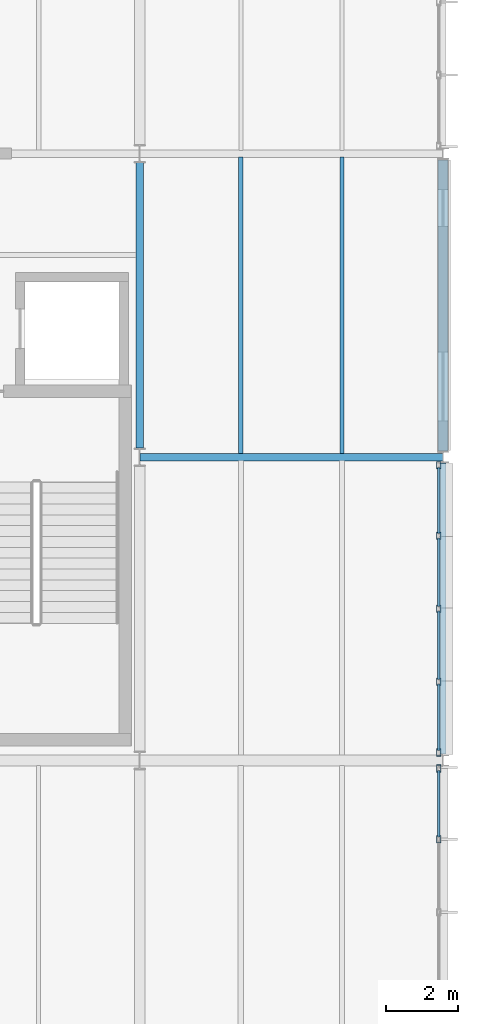
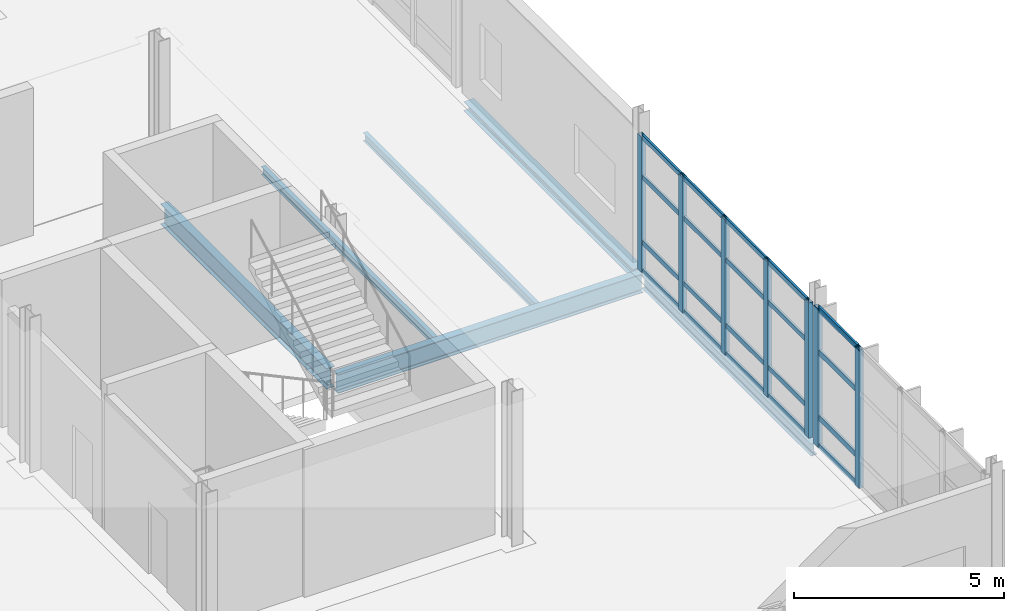
# One storey, part 69 of 129: 27 members, 6 beams, 2 elements without a shape of their own.
"""IFC4 building model written with IfcOpenShell, lengths in metres."""

from ifc_helpers import new_model, si_unit, direction, frame, origin, origin_2d, place, context, subcontext, project, spatial, hollow_rectangle, i_section, extrude, material, material_profile, profile_set, type_object, element, aggregate, save


model = new_model("IFC4")

# Units and contexts
model_context = context("Model", 3, precision=1e-05, world=origin(), true_north=direction((0.0, 1.0)))
body_context = subcontext(model_context, "Body", "Model", "MODEL_VIEW")
ifc_project = project(units=[si_unit("LENGTHUNIT", "METRE"), si_unit("AREAUNIT", "SQUARE_METRE"), si_unit("VOLUMEUNIT", "CUBIC_METRE"), si_unit("PLANEANGLEUNIT", "RADIAN"), si_unit("MASSUNIT", "GRAM", prefix="KILO")], contexts=[model_context])

# Site, building, storey
site_placement = place(None, origin())
site = spatial("IfcSite", under=ifc_project, at=site_placement, CompositionType="ELEMENT")
building_placement = place(site_placement, origin())
building = spatial("IfcBuilding", under=site, at=building_placement, Name="Mersafa Astral City Hall", CompositionType="ELEMENT")
storey_placement = place(building_placement, frame((0.0, 0.0, 5.39990234375)))
storey = spatial("IfcBuildingStorey", under=building, at=storey_placement, Name="L01", CompositionType="ELEMENT", Elevation=5.39990234375)

# Curtain wall, members
ifc_material_1 = material(Name="Anodised bronze aluminium framing", Category="aluminium")
curtain_wall_type_1 = type_object("IfcCurtainWallType", Name="ENV-CW-5", PredefinedType="USERDEFINED", material=ifc_material_1)
curtain_wall_1_placement = place(storey_placement, origin())
curtain_wall_1 = element("IfcCurtainWall", 1, at=curtain_wall_1_placement, inside=storey, type_object=curtain_wall_type_1, Name="L01 Unitised solar curtain wall 70", ObjectType="UNITISED CURTAIN WALL", PredefinedType="USERDEFINED")
ifc_material_profile_1 = material_profile(ifc_material_1, hollow_rectangle(XDim=0.1201171875, YDim=0.199951171875, WallThickness=0.008056640625, at=origin_2d()), Name="RHS 120x200x8")
ifc_profile_set_1 = profile_set([ifc_material_profile_1], Name="Anodised bronze aluminium framing")
member_type_1 = type_object("IfcMemberType", Name="ENV-CW-MUL-2", PredefinedType="MULLION", material=ifc_profile_set_1)
member_1_placement = place(storey_placement, frame((184.679931640625, 48.218994140625, -0.001953125), z_axis=(0.0, 0.0, 1.0), x_axis=(-1.0, 0.0, 0.0)))
member_1 = element("IfcMember", 2, at=member_1_placement, type_object=member_type_1, Name="CW-5 mullion 4", PredefinedType="MULLION", context=body_context, shape_type="SweptSolid", body=[
    extrude(hollow_rectangle(XDim=0.1201171875, YDim=0.199951171875, WallThickness=0.008056640625, at=origin_2d()), origin(), (0.0, 0.0, 1.0), 4.029052734375),
])
member_2_placement = place(storey_placement, frame((184.679931640625, 50.177978515625, -0.001953125), z_axis=(0.0, 0.0, 1.0), x_axis=(-1.0, 0.0, 0.0)))
member_2 = element("IfcMember", 3, at=member_2_placement, type_object=member_type_1, Name="CW-5 mullion 5", PredefinedType="MULLION", context=body_context, shape_type="SweptSolid", body=[
    extrude(hollow_rectangle(XDim=0.1201171875, YDim=0.199951171875, WallThickness=0.008056640625, at=origin_2d()), origin(), (0.0, 0.0, 1.0), 4.029052734375),
])

curtain_wall_type_2 = type_object("IfcCurtainWallType", Name="ENV-CW-6", PredefinedType="USERDEFINED", material=ifc_material_1)
curtain_wall_2_placement = place(storey_placement, origin())
curtain_wall_2 = element("IfcCurtainWall", 4, at=curtain_wall_2_placement, inside=storey, type_object=curtain_wall_type_2, Name="L01 Unitised solar curtain wall 71", ObjectType="UNITISED CURTAIN WALL", PredefinedType="USERDEFINED")
member_3_placement = place(storey_placement, frame((184.679931640625, 50.6220703125, -0.001953125), z_axis=(0.0, 0.0, 1.0), x_axis=(-1.0, 0.0, 0.0)))
member_3 = element("IfcMember", 5, at=member_3_placement, type_object=member_type_1, Name="CW-6 mullion 1", PredefinedType="MULLION", context=body_context, shape_type="SweptSolid", body=[
    extrude(hollow_rectangle(XDim=0.1201171875, YDim=0.199951171875, WallThickness=0.008056640625, at=origin_2d()), origin(), (0.0, 0.0, 1.0), 3.93896484375),
])
member_4_placement = place(storey_placement, frame((184.679931640625, 52.5810546875, -0.001953125), z_axis=(0.0, 0.0, 1.0), x_axis=(-1.0, 0.0, 0.0)))
member_4 = element("IfcMember", 6, at=member_4_placement, type_object=member_type_1, Name="CW-6 mullion 2", PredefinedType="MULLION", context=body_context, shape_type="SweptSolid", body=[
    extrude(hollow_rectangle(XDim=0.1201171875, YDim=0.199951171875, WallThickness=0.008056640625, at=origin_2d()), origin(), (0.0, 0.0, 1.0), 3.93896484375),
])
member_5_placement = place(storey_placement, frame((184.679931640625, 54.60009765625, -0.001953125), z_axis=(0.0, 0.0, 1.0), x_axis=(-1.0, 0.0, 0.0)))
member_5 = element("IfcMember", 7, at=member_5_placement, type_object=member_type_1, Name="CW-6 mullion 3", PredefinedType="MULLION", context=body_context, shape_type="SweptSolid", body=[
    extrude(hollow_rectangle(XDim=0.1201171875, YDim=0.199951171875, WallThickness=0.008056640625, at=origin_2d()), origin(), (0.0, 0.0, 1.0), 3.93896484375),
])
member_6_placement = place(storey_placement, frame((184.679931640625, 56.618896484375, -0.001953125), z_axis=(0.0, 0.0, 1.0), x_axis=(-1.0, 0.0, 0.0)))
member_6 = element("IfcMember", 8, at=member_6_placement, type_object=member_type_1, Name="CW-6 mullion 4", PredefinedType="MULLION", context=body_context, shape_type="SweptSolid", body=[
    extrude(hollow_rectangle(XDim=0.1201171875, YDim=0.199951171875, WallThickness=0.008056640625, at=origin_2d()), origin(), (0.0, 0.0, 1.0), 3.93896484375),
])
member_7_placement = place(storey_placement, frame((184.679931640625, 58.577880859375, -0.001953125), z_axis=(0.0, 0.0, 1.0), x_axis=(-1.0, 0.0, 0.0)))
member_7 = element("IfcMember", 9, at=member_7_placement, type_object=member_type_1, Name="CW-6 mullion 5", PredefinedType="MULLION", context=body_context, shape_type="SweptSolid", body=[
    extrude(hollow_rectangle(XDim=0.1201171875, YDim=0.199951171875, WallThickness=0.008056640625, at=origin_2d()), origin(), (0.0, 0.0, 1.0), 3.93896484375),
])
ifc_material_profile_2 = material_profile(ifc_material_1, hollow_rectangle(XDim=0.06005859375, YDim=0.139892578125, WallThickness=0.00390625, at=origin_2d()), Name="RHS 60x140x4")
ifc_profile_set_2 = profile_set([ifc_material_profile_2], Name="Anodised bronze aluminium framing")
member_type_2 = type_object("IfcMemberType", Name="ENV-CW-TRN-1", PredefinedType="USERDEFINED", material=ifc_profile_set_2)
member_8_placement = place(storey_placement, frame((184.679931640625, 50.681884765625, 0.028076171875), z_axis=(0.0, 1.0, 0.0), x_axis=(-1.0, 0.0, 0.0)))
member_8 = element("IfcMember", 10, at=member_8_placement, type_object=member_type_2, Name="CW-6 transom 1.1", ObjectType="TRANSOM", PredefinedType="USERDEFINED", context=body_context, shape_type="SweptSolid", body=[
    extrude(hollow_rectangle(XDim=0.06005859375, YDim=0.139892578125, WallThickness=0.00390625, at=origin_2d()), origin(), (0.0, 0.0, 1.0), 1.839111328125),
])
member_9_placement = place(storey_placement, frame((184.679931640625, 50.681884765625, 0.85009765625), z_axis=(0.0, 1.0, 0.0), x_axis=(-1.0, 0.0, 0.0)))
member_9 = element("IfcMember", 11, at=member_9_placement, type_object=member_type_2, Name="CW-6 transom 1.2", ObjectType="TRANSOM", PredefinedType="USERDEFINED", context=body_context, shape_type="SweptSolid", body=[
    extrude(hollow_rectangle(XDim=0.06005859375, YDim=0.139892578125, WallThickness=0.00390625, at=origin_2d()), origin(), (0.0, 0.0, 1.0), 1.839111328125),
])
member_10_placement = place(storey_placement, frame((184.679931640625, 50.681884765625, 2.75), z_axis=(0.0, 1.0, 0.0), x_axis=(-1.0, 0.0, 0.0)))
member_10 = element("IfcMember", 12, at=member_10_placement, type_object=member_type_2, Name="CW-6 transom 1.3", ObjectType="TRANSOM", PredefinedType="USERDEFINED", context=body_context, shape_type="SweptSolid", body=[
    extrude(hollow_rectangle(XDim=0.06005859375, YDim=0.139892578125, WallThickness=0.00390625, at=origin_2d()), origin(), (0.0, 0.0, 1.0), 1.839111328125),
])
member_11_placement = place(storey_placement, frame((184.679931640625, 50.681884765625, 3.906982421875), z_axis=(0.0, 1.0, 0.0), x_axis=(-1.0, 0.0, 0.0)))
member_11 = element("IfcMember", 13, at=member_11_placement, type_object=member_type_2, Name="CW-6 transom 1.4", ObjectType="TRANSOM", PredefinedType="USERDEFINED", context=body_context, shape_type="SweptSolid", body=[
    extrude(hollow_rectangle(XDim=0.06005859375, YDim=0.139892578125, WallThickness=0.00390625, at=origin_2d()), origin(), (0.0, 0.0, 1.0), 1.839111328125),
])
member_12_placement = place(storey_placement, frame((184.679931640625, 52.64111328125, 0.028076171875), z_axis=(0.0, 1.0, 0.0), x_axis=(-1.0, 0.0, 0.0)))
member_12 = element("IfcMember", 14, at=member_12_placement, type_object=member_type_2, Name="CW-6 transom 2.1", ObjectType="TRANSOM", PredefinedType="USERDEFINED", context=body_context, shape_type="SweptSolid", body=[
    extrude(hollow_rectangle(XDim=0.06005859375, YDim=0.139892578125, WallThickness=0.00390625, at=origin_2d()), origin(), (0.0, 0.0, 1.0), 1.89892578125),
])
member_13_placement = place(storey_placement, frame((184.679931640625, 52.64111328125, 0.85009765625), z_axis=(0.0, 1.0, 0.0), x_axis=(-1.0, 0.0, 0.0)))
member_13 = element("IfcMember", 15, at=member_13_placement, type_object=member_type_2, Name="CW-6 transom 2.2", ObjectType="TRANSOM", PredefinedType="USERDEFINED", context=body_context, shape_type="SweptSolid", body=[
    extrude(hollow_rectangle(XDim=0.06005859375, YDim=0.139892578125, WallThickness=0.00390625, at=origin_2d()), origin(), (0.0, 0.0, 1.0), 1.89892578125),
])
member_14_placement = place(storey_placement, frame((184.679931640625, 52.64111328125, 2.75), z_axis=(0.0, 1.0, 0.0), x_axis=(-1.0, 0.0, 0.0)))
member_14 = element("IfcMember", 16, at=member_14_placement, type_object=member_type_2, Name="CW-6 transom 2.3", ObjectType="TRANSOM", PredefinedType="USERDEFINED", context=body_context, shape_type="SweptSolid", body=[
    extrude(hollow_rectangle(XDim=0.06005859375, YDim=0.139892578125, WallThickness=0.00390625, at=origin_2d()), origin(), (0.0, 0.0, 1.0), 1.89892578125),
])
member_15_placement = place(storey_placement, frame((184.679931640625, 52.64111328125, 3.906982421875), z_axis=(0.0, 1.0, 0.0), x_axis=(-1.0, 0.0, 0.0)))
member_15 = element("IfcMember", 17, at=member_15_placement, type_object=member_type_2, Name="CW-6 transom 2.4", ObjectType="TRANSOM", PredefinedType="USERDEFINED", context=body_context, shape_type="SweptSolid", body=[
    extrude(hollow_rectangle(XDim=0.06005859375, YDim=0.139892578125, WallThickness=0.00390625, at=origin_2d()), origin(), (0.0, 0.0, 1.0), 1.89892578125),
])
member_16_placement = place(storey_placement, frame((184.679931640625, 54.659912109375, 0.028076171875), z_axis=(0.0, 1.0, 0.0), x_axis=(-1.0, 0.0, 0.0)))
member_16 = element("IfcMember", 18, at=member_16_placement, type_object=member_type_2, Name="CW-6 transom 3.1", ObjectType="TRANSOM", PredefinedType="USERDEFINED", context=body_context, shape_type="SweptSolid", body=[
    extrude(hollow_rectangle(XDim=0.06005859375, YDim=0.139892578125, WallThickness=0.00390625, at=origin_2d()), origin(), (0.0, 0.0, 1.0), 1.899169921875),
])
member_17_placement = place(storey_placement, frame((184.679931640625, 54.659912109375, 0.85009765625), z_axis=(0.0, 1.0, 0.0), x_axis=(-1.0, 0.0, 0.0)))
member_17 = element("IfcMember", 19, at=member_17_placement, type_object=member_type_2, Name="CW-6 transom 3.2", ObjectType="TRANSOM", PredefinedType="USERDEFINED", context=body_context, shape_type="SweptSolid", body=[
    extrude(hollow_rectangle(XDim=0.06005859375, YDim=0.139892578125, WallThickness=0.00390625, at=origin_2d()), origin(), (0.0, 0.0, 1.0), 1.899169921875),
])
member_18_placement = place(storey_placement, frame((184.679931640625, 54.659912109375, 2.75), z_axis=(0.0, 1.0, 0.0), x_axis=(-1.0, 0.0, 0.0)))
member_18 = element("IfcMember", 20, at=member_18_placement, type_object=member_type_2, Name="CW-6 transom 3.3", ObjectType="TRANSOM", PredefinedType="USERDEFINED", context=body_context, shape_type="SweptSolid", body=[
    extrude(hollow_rectangle(XDim=0.06005859375, YDim=0.139892578125, WallThickness=0.00390625, at=origin_2d()), origin(), (0.0, 0.0, 1.0), 1.899169921875),
])
member_19_placement = place(storey_placement, frame((184.679931640625, 54.659912109375, 3.906982421875), z_axis=(0.0, 1.0, 0.0), x_axis=(-1.0, 0.0, 0.0)))
member_19 = element("IfcMember", 21, at=member_19_placement, type_object=member_type_2, Name="CW-6 transom 3.4", ObjectType="TRANSOM", PredefinedType="USERDEFINED", context=body_context, shape_type="SweptSolid", body=[
    extrude(hollow_rectangle(XDim=0.06005859375, YDim=0.139892578125, WallThickness=0.00390625, at=origin_2d()), origin(), (0.0, 0.0, 1.0), 1.899169921875),
])
member_20_placement = place(storey_placement, frame((184.679931640625, 56.678955078125, 0.028076171875), z_axis=(0.0, 1.0, 0.0), x_axis=(-1.0, 0.0, 0.0)))
member_20 = element("IfcMember", 22, at=member_20_placement, type_object=member_type_2, Name="CW-6 transom 4.1", ObjectType="TRANSOM", PredefinedType="USERDEFINED", context=body_context, shape_type="SweptSolid", body=[
    extrude(hollow_rectangle(XDim=0.06005859375, YDim=0.139892578125, WallThickness=0.00390625, at=origin_2d()), origin(), (0.0, 0.0, 1.0), 1.839111328125),
])
member_21_placement = place(storey_placement, frame((184.679931640625, 56.678955078125, 0.85009765625), z_axis=(0.0, 1.0, 0.0), x_axis=(-1.0, 0.0, 0.0)))
member_21 = element("IfcMember", 23, at=member_21_placement, type_object=member_type_2, Name="CW-6 transom 4.2", ObjectType="TRANSOM", PredefinedType="USERDEFINED", context=body_context, shape_type="SweptSolid", body=[
    extrude(hollow_rectangle(XDim=0.06005859375, YDim=0.139892578125, WallThickness=0.00390625, at=origin_2d()), origin(), (0.0, 0.0, 1.0), 1.839111328125),
])
member_22_placement = place(storey_placement, frame((184.679931640625, 56.678955078125, 2.75), z_axis=(0.0, 1.0, 0.0), x_axis=(-1.0, 0.0, 0.0)))
member_22 = element("IfcMember", 24, at=member_22_placement, type_object=member_type_2, Name="CW-6 transom 4.3", ObjectType="TRANSOM", PredefinedType="USERDEFINED", context=body_context, shape_type="SweptSolid", body=[
    extrude(hollow_rectangle(XDim=0.06005859375, YDim=0.139892578125, WallThickness=0.00390625, at=origin_2d()), origin(), (0.0, 0.0, 1.0), 1.839111328125),
])
member_23_placement = place(storey_placement, frame((184.679931640625, 56.678955078125, 3.906982421875), z_axis=(0.0, 1.0, 0.0), x_axis=(-1.0, 0.0, 0.0)))
member_23 = element("IfcMember", 25, at=member_23_placement, type_object=member_type_2, Name="CW-6 transom 4.4", ObjectType="TRANSOM", PredefinedType="USERDEFINED", context=body_context, shape_type="SweptSolid", body=[
    extrude(hollow_rectangle(XDim=0.06005859375, YDim=0.139892578125, WallThickness=0.00390625, at=origin_2d()), origin(), (0.0, 0.0, 1.0), 1.839111328125),
])
aggregate(curtain_wall_2, [member_3, member_4, member_5, member_6, member_7, member_8, member_9, member_10, member_11, member_12, member_13, member_14, member_15, member_16, member_17, member_18, member_19, member_20, member_21, member_22, member_23])

# Member
ifc_material_profile_3 = material_profile(ifc_material_1, hollow_rectangle(XDim=0.06005859375, YDim=0.159912109375, WallThickness=0.00390625, at=origin_2d()), Name="RHS 60x160x4")
ifc_profile_set_3 = profile_set([ifc_material_profile_3], Name="Anodised bronze aluminium framing")
member_type_3 = type_object("IfcMemberType", Name="ENV-CW-TRN-2", PredefinedType="USERDEFINED", material=ifc_profile_set_3)
member_24_placement = place(storey_placement, frame((184.679931640625, 48.279052734375, 0.028076171875), z_axis=(0.0, 1.0, 0.0), x_axis=(-1.0, 0.0, 0.0)))
member_24 = element("IfcMember", 26, at=member_24_placement, type_object=member_type_3, Name="CW-5 transom 4.1", ObjectType="TRANSOM", PredefinedType="USERDEFINED", context=body_context, shape_type="SweptSolid", body=[
    extrude(hollow_rectangle(XDim=0.06005859375, YDim=0.159912109375, WallThickness=0.00390625, at=origin_2d()), origin(), (0.0, 0.0, 1.0), 1.8388671875),
])

member_25_placement = place(storey_placement, frame((184.679931640625, 48.279052734375, 0.85009765625), z_axis=(0.0, 1.0, 0.0), x_axis=(-1.0, 0.0, 0.0)))
member_25 = element("IfcMember", 27, at=member_25_placement, type_object=member_type_3, Name="CW-5 transom 4.2", ObjectType="TRANSOM", PredefinedType="USERDEFINED", context=body_context, shape_type="SweptSolid", body=[
    extrude(hollow_rectangle(XDim=0.06005859375, YDim=0.159912109375, WallThickness=0.00390625, at=origin_2d()), origin(), (0.0, 0.0, 1.0), 1.8388671875),
])

member_26_placement = place(storey_placement, frame((184.679931640625, 48.279052734375, 2.75), z_axis=(0.0, 1.0, 0.0), x_axis=(-1.0, 0.0, 0.0)))
member_26 = element("IfcMember", 28, at=member_26_placement, type_object=member_type_3, Name="CW-5 transom 4.3", ObjectType="TRANSOM", PredefinedType="USERDEFINED", context=body_context, shape_type="SweptSolid", body=[
    extrude(hollow_rectangle(XDim=0.06005859375, YDim=0.159912109375, WallThickness=0.00390625, at=origin_2d()), origin(), (0.0, 0.0, 1.0), 1.8388671875),
])

member_27_placement = place(storey_placement, frame((184.679931640625, 48.279052734375, 3.9970703125), z_axis=(0.0, 1.0, 0.0), x_axis=(-1.0, 0.0, 0.0)))
member_27 = element("IfcMember", 29, at=member_27_placement, type_object=member_type_3, Name="CW-5 transom 4.4", ObjectType="TRANSOM", PredefinedType="USERDEFINED", context=body_context, shape_type="SweptSolid", body=[
    extrude(hollow_rectangle(XDim=0.06005859375, YDim=0.159912109375, WallThickness=0.00390625, at=origin_2d()), origin(), (0.0, 0.0, 1.0), 1.8388671875),
])

aggregate(curtain_wall_1, [member_1, member_2, member_24, member_25, member_26, member_27])

# Beams
ifc_material_2 = material(Name="Steel S355", Category="steel")
ifc_material_profile_4 = material_profile(ifc_material_2, i_section(OverallWidth=0.2099609375, OverallDepth=0.550048828125, WebThickness=0.010986328125, FlangeThickness=0.01708984375, FilletRadius=0.02392578125, at=origin_2d()), Name="IPE 550")
ifc_profile_set_4 = profile_set([ifc_material_profile_4], Name="Steel S355")
beam_type_1 = type_object("IfcBeamType", Name="STR-BM-IPE550", PredefinedType="BEAM", material=ifc_profile_set_4)
beam_1_placement = place(storey_placement, frame((176.403076171875, 58.800048828125, -0.5), z_axis=(1.0, 0.0, 0.0), x_axis=(0.0, 1.0, 0.0)))
element("IfcBeam", 30, at=beam_1_placement, inside=storey, type_object=beam_type_1, Name="L01 Primary girder X 21-7", PredefinedType="BEAM", context=body_context, shape_type="SweptSolid", body=[
    extrude(i_section(OverallWidth=0.2099609375, OverallDepth=0.550048828125, WebThickness=0.010986328125, FlangeThickness=0.01708984375, FilletRadius=0.02392578125, at=origin_2d()), origin(), (0.0, 0.0, 1.0), 8.39404296875),
])
ifc_material_profile_5 = material_profile(ifc_material_2, i_section(OverallWidth=0.219970703125, OverallDepth=0.60009765625, WebThickness=0.011962890625, FlangeThickness=0.01904296875, FilletRadius=0.02392578125, at=origin_2d()), Name="IPE 600")
ifc_profile_set_5 = profile_set([ifc_material_profile_5], Name="Steel S355")
beam_type_2 = type_object("IfcBeamType", Name="STR-BM-IPE600", PredefinedType="BEAM", material=ifc_profile_set_5)
beam_2_placement = place(storey_placement, frame((176.39990234375, 59.044921875, -0.52490234375), z_axis=(0.0, 1.0, 0.0), x_axis=(-1.0, 0.0, 0.0)))
element("IfcBeam", 31, at=beam_2_placement, inside=storey, type_object=beam_type_2, Name="L01 Primary girder Y 21-7", PredefinedType="BEAM", context=body_context, shape_type="SweptSolid", body=[
    extrude(i_section(OverallWidth=0.219970703125, OverallDepth=0.60009765625, WebThickness=0.011962890625, FlangeThickness=0.01904296875, FilletRadius=0.02392578125, at=origin_2d()), origin(), (0.0, 0.0, 1.0), 7.91015625),
])
ifc_material_profile_6 = material_profile(ifc_material_2, i_section(OverallWidth=0.1201171875, OverallDepth=0.239990234375, WebThickness=0.006103515625, FlangeThickness=0.009765625, FilletRadius=0.014892578125, at=origin_2d()), Name="IPE 240")
ifc_profile_set_6 = profile_set([ifc_material_profile_6], Name="Steel S355")
beam_type_3 = type_object("IfcBeamType", Name="STR-BM-JOIST-IPE240", PredefinedType="JOIST", material=ifc_profile_set_6)
for number, where, z_axis, x_axis, name in (
    (32, (179.199951171875, 58.89990234375, -0.344970703125), (0.0, 1.0, 0.0), (-1.0, 0.0, 0.0), "L01 Composite secondary floor joist 393"),
    (33, (182.0, 58.89990234375, -0.344970703125), (0.0, 1.0, 0.0), (-1.0, 0.0, 0.0), "L01 Composite secondary floor joist 394"),
):
    element("IfcBeam", number, at=place(storey_placement, frame(where, z_axis=z_axis, x_axis=x_axis)), inside=storey, type_object=beam_type_3, Name=name, PredefinedType="JOIST", context=body_context, shape_type="SweptSolid", body=[
        extrude(i_section(OverallWidth=0.1201171875, OverallDepth=0.239990234375, WebThickness=0.006103515625, FlangeThickness=0.009765625, FilletRadius=0.014892578125, at=origin_2d()), origin(), (0.0, 0.0, 1.0), 8.205078125),
    ])
ifc_material_profile_7 = material_profile(ifc_material_2, i_section(OverallWidth=0.280029296875, OverallDepth=0.27001953125, WebThickness=0.008056640625, FlangeThickness=0.012939453125, FilletRadius=0.02392578125, at=origin_2d()), Name="HEA 280")
ifc_profile_set_7 = profile_set([ifc_material_profile_7], Name="Steel S355")
beam_type_4 = type_object("IfcBeamType", Name="STR-BM-SPANDREL-HEA280", PredefinedType="SPANDREL", material=ifc_profile_set_7)
beam_3_placement = place(storey_placement, frame((184.800048828125, 58.965087890625, -0.35986328125), z_axis=(0.0, 1.0, 0.0), x_axis=(-1.0, 0.0, 0.0)))
element("IfcBeam", 34, at=beam_3_placement, inside=storey, type_object=beam_type_4, Name="L01 Primary girder Y 22-7", PredefinedType="SPANDREL", context=body_context, shape_type="SweptSolid", body=[
    extrude(i_section(OverallWidth=0.280029296875, OverallDepth=0.27001953125, WebThickness=0.008056640625, FlangeThickness=0.012939453125, FilletRadius=0.02392578125, at=origin_2d()), origin(), (0.0, 0.0, 1.0), 8.059814453125),
])
ifc_material_profile_8 = material_profile(ifc_material_2, i_section(OverallWidth=0.169921875, OverallDepth=0.360107421875, WebThickness=0.008056640625, FlangeThickness=0.0126953125, FilletRadius=0.01806640625, at=origin_2d()), Name="IPE 360")
ifc_profile_set_8 = profile_set([ifc_material_profile_8], Name="Steel S355")
beam_type_5 = type_object("IfcBeamType", Name="STR-BM-SPANDREL-IPE360", PredefinedType="SPANDREL", material=ifc_profile_set_8)
beam_4_placement = place(storey_placement, frame((184.800048828125, 50.574951171875, -0.40478515625), z_axis=(0.0, 1.0, 0.0), x_axis=(-1.0, 0.0, 0.0)))
element("IfcBeam", 35, at=beam_4_placement, inside=storey, type_object=beam_type_5, Name="L01 Primary girder Y 22-6", PredefinedType="SPANDREL", context=body_context, shape_type="SweptSolid", body=[
    extrude(i_section(OverallWidth=0.169921875, OverallDepth=0.360107421875, WebThickness=0.008056640625, FlangeThickness=0.0126953125, FilletRadius=0.01806640625, at=origin_2d()), origin(), (0.0, 0.0, 1.0), 8.06005859375),
])

save(model, "model.ifc")
